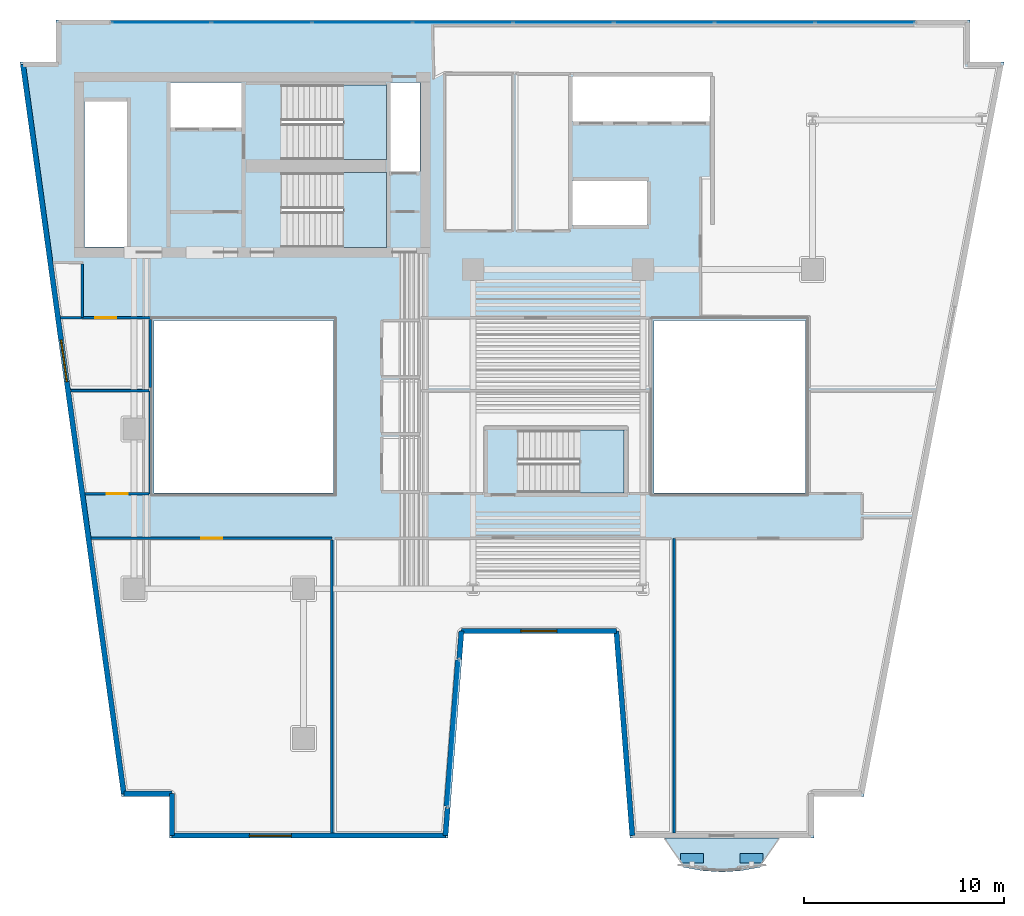
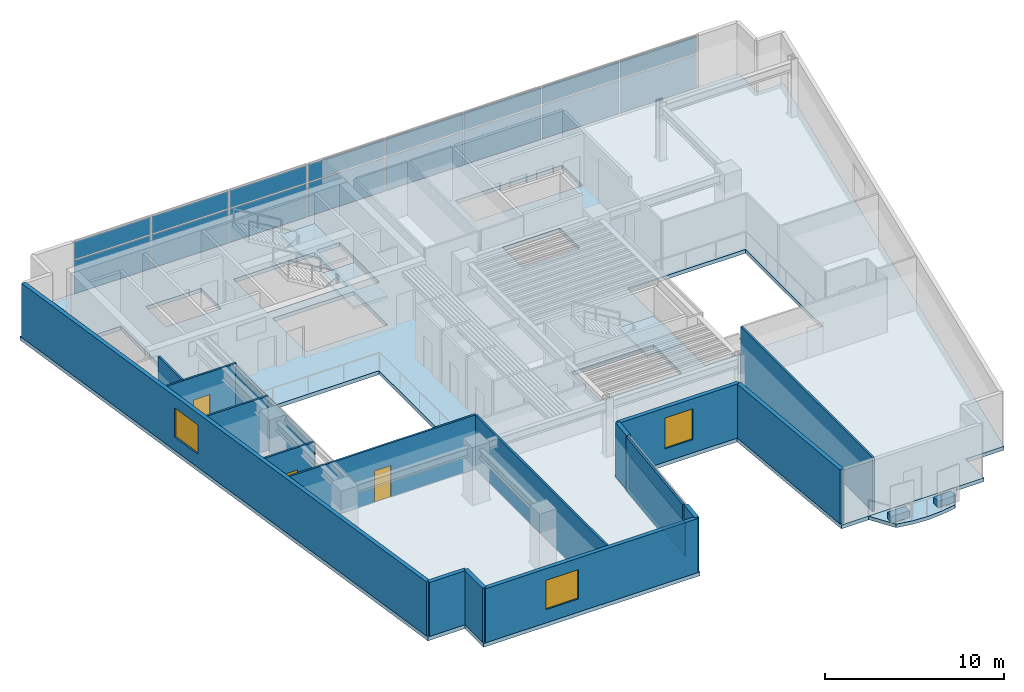
# One storey, part 5 of 13: 20 plates, 18 walls, 5 slabs, 3 doors, 3 windows, 6 openings, 5 elements without a shape of their own.
"""IFC4 building model written with IfcOpenShell, lengths in metres."""

from ifc_helpers import new_model, si_unit, direction, frame, frame_2d, origin, origin_2d, place, context, subcontext, project, spatial, polyline, rectangle, outline, extrude, material, layer, layer_set, type_object, element, fill, aggregate, save


model = new_model("IFC4")

# Units and contexts
model_context = context("Model", 3, precision=1e-05, world=origin(), true_north=direction((0.0, 1.0)))
body_context = subcontext(model_context, "Body", "Model", "MODEL_VIEW")
ifc_project = project(units=[si_unit("LENGTHUNIT", "METRE"), si_unit("AREAUNIT", "SQUARE_METRE"), si_unit("VOLUMEUNIT", "CUBIC_METRE"), si_unit("PLANEANGLEUNIT", "RADIAN"), si_unit("MASSUNIT", "GRAM", prefix="KILO")], contexts=[model_context])

# Site, building, storey
site_placement = place(None, origin())
site = spatial("IfcSite", under=ifc_project, at=site_placement, CompositionType="ELEMENT")
building_placement = place(site_placement, origin())
building = spatial("IfcBuilding", under=site, at=building_placement, Name="Caeloran Harvest Quay", CompositionType="ELEMENT")
storey_placement = place(building_placement, frame((0.0, 0.0, 139.050048828125)))
storey = spatial("IfcBuildingStorey", under=building, at=storey_placement, Name="L32", CompositionType="ELEMENT", Elevation=139.050048828125)

# Slab
ifc_material_1 = material(Name="Concrete C50/60", Category="concrete")
ifc_layer_1 = layer(ifc_material_1, 0.239990234375, Name="Concrete C50/60")
ifc_layer_set_1 = layer_set([ifc_layer_1], Name="Concrete C50/60")
slab_type_1 = type_object("IfcSlabType", Name="BALCONY-BL-240", PredefinedType="FLOOR", material=ifc_layer_set_1)
slab_1_placement = place(storey_placement, frame((0.0, 0.0, -0.239990234375)))
element("IfcSlab", 1, at=slab_1_placement, inside=storey, type_object=slab_type_1, Name="L32 Scalloped Cantilevered Planted Balcony Slab", PredefinedType="FLOOR", context=body_context, shape_type="SweptSolid", body=[
    extrude(outline(polyline([(39.869873046875, 1.04345703125), (38.913818359375, 0.8701171875), (37.95751953125, 0.806884765625), (37.001220703125, 0.8701171875), (36.045166015625, 1.04345703125), (35.10205078125, 2.5), (40.81298828125, 2.5), (39.869873046875, 1.04345703125)])), origin(), (0.0, 0.0, 1.0), 0.239990234375),
])

# Curtain wall, plates
ifc_material_2 = material(Name="Aluminium 6063-T6 and Low-E Glazing", Category="aluminium")
ifc_layer_2 = layer(ifc_material_2, 0.18994140625, Name="Aluminium 6063-T6 and Low-E Glazing")
ifc_layer_set_2 = layer_set([ifc_layer_2], Name="Aluminium 6063-T6 and Low-E Glazing")
curtain_wall_type = type_object("IfcCurtainWallType", Name="CW-SYS-CW-3", PredefinedType="USERDEFINED", material=ifc_layer_set_2)
curtain_wall_1_placement = place(storey_placement, origin())
curtain_wall_1 = element("IfcCurtainWall", 2, at=curtain_wall_1_placement, inside=storey, type_object=curtain_wall_type, Name="L32 Unitised Curtain Wall CW-3 Run 6", ObjectType="CURTAIN_WALL", PredefinedType="USERDEFINED")
ifc_material_3 = material(Name="Low-E Double Glazed Vision Glass Unit", Category="glass")
ifc_layer_3 = layer(ifc_material_3, 0.035888671875, Name="Low-E Double Glazed Vision Glass Unit")
ifc_layer_set_3 = layer_set([ifc_layer_3], Name="Low-E Double Glazed Vision Glass Unit")
plate_type_1 = type_object("IfcPlateType", Name="CW-VISION-PANEL", PredefinedType="CURTAIN_PANEL", material=ifc_layer_set_3)
plate_1_placement = place(storey_placement, frame((9.871337890625, 43.3701171875, 0.080078125), z_axis=(0.0, 0.0, 1.0), x_axis=(1.0, 0.0, 0.0)))
plate_1 = element("IfcPlate", 3, at=plate_1_placement, type_object=plate_type_1, Name="CW-3 panel 1.1", PredefinedType="CURTAIN_PANEL", context=body_context, shape_type="SweptSolid", body=[
    extrude(rectangle(XDim=4.922607421875, YDim=0.035888671875, at=origin_2d()), origin(), (0.0, 0.0, 1.0), 2.280029296875),
])
plate_2_placement = place(storey_placement, frame((9.871337890625, 43.3701171875, 2.43994140625), z_axis=(0.0, 0.0, 1.0), x_axis=(1.0, 0.0, 0.0)))
plate_2 = element("IfcPlate", 4, at=plate_2_placement, type_object=plate_type_1, Name="CW-3 panel 1.2", PredefinedType="CURTAIN_PANEL", context=body_context, shape_type="SweptSolid", body=[
    extrude(rectangle(XDim=4.922607421875, YDim=0.035888671875, at=origin_2d()), origin(), (0.0, 0.0, 1.0), 1.169921875),
])
plate_3_placement = place(storey_placement, frame((14.893798828125, 43.3701171875, 0.080078125), z_axis=(0.0, 0.0, 1.0), x_axis=(1.0, 0.0, 0.0)))
plate_3 = element("IfcPlate", 5, at=plate_3_placement, type_object=plate_type_1, Name="CW-3 panel 2.1", PredefinedType="CURTAIN_PANEL", context=body_context, shape_type="SweptSolid", body=[
    extrude(rectangle(XDim=4.96240234375, YDim=0.035888671875, at=origin_2d()), origin(), (0.0, 0.0, 1.0), 2.280029296875),
])
plate_4_placement = place(storey_placement, frame((14.893798828125, 43.3701171875, 2.43994140625), z_axis=(0.0, 0.0, 1.0), x_axis=(1.0, 0.0, 0.0)))
plate_4 = element("IfcPlate", 6, at=plate_4_placement, type_object=plate_type_1, Name="CW-3 panel 2.2", PredefinedType="CURTAIN_PANEL", context=body_context, shape_type="SweptSolid", body=[
    extrude(rectangle(XDim=4.96240234375, YDim=0.035888671875, at=origin_2d()), origin(), (0.0, 0.0, 1.0), 1.169921875),
])
plate_5_placement = place(storey_placement, frame((19.936279296875, 43.3701171875, 0.080078125), z_axis=(0.0, 0.0, 1.0), x_axis=(1.0, 0.0, 0.0)))
plate_5 = element("IfcPlate", 7, at=plate_5_placement, type_object=plate_type_1, Name="CW-3 panel 3.1", PredefinedType="CURTAIN_PANEL", context=body_context, shape_type="SweptSolid", body=[
    extrude(rectangle(XDim=4.96240234375, YDim=0.035888671875, at=origin_2d()), origin(), (0.0, 0.0, 1.0), 2.280029296875),
])
plate_6_placement = place(storey_placement, frame((19.936279296875, 43.3701171875, 2.43994140625), z_axis=(0.0, 0.0, 1.0), x_axis=(1.0, 0.0, 0.0)))
plate_6 = element("IfcPlate", 8, at=plate_6_placement, type_object=plate_type_1, Name="CW-3 panel 3.2", PredefinedType="CURTAIN_PANEL", context=body_context, shape_type="SweptSolid", body=[
    extrude(rectangle(XDim=4.96240234375, YDim=0.035888671875, at=origin_2d()), origin(), (0.0, 0.0, 1.0), 1.169921875),
])
plate_7_placement = place(storey_placement, frame((24.978759765625, 43.3701171875, 0.080078125), z_axis=(0.0, 0.0, 1.0), x_axis=(1.0, 0.0, 0.0)))
plate_7 = element("IfcPlate", 9, at=plate_7_placement, type_object=plate_type_1, Name="CW-3 panel 4.1", PredefinedType="CURTAIN_PANEL", context=body_context, shape_type="SweptSolid", body=[
    extrude(rectangle(XDim=4.96240234375, YDim=0.035888671875, at=origin_2d()), origin(), (0.0, 0.0, 1.0), 2.280029296875),
])
plate_8_placement = place(storey_placement, frame((24.978759765625, 43.3701171875, 2.43994140625), z_axis=(0.0, 0.0, 1.0), x_axis=(1.0, 0.0, 0.0)))
plate_8 = element("IfcPlate", 10, at=plate_8_placement, type_object=plate_type_1, Name="CW-3 panel 4.2", PredefinedType="CURTAIN_PANEL", context=body_context, shape_type="SweptSolid", body=[
    extrude(rectangle(XDim=4.96240234375, YDim=0.035888671875, at=origin_2d()), origin(), (0.0, 0.0, 1.0), 1.169921875),
])
plate_9_placement = place(storey_placement, frame((30.021240234375, 43.3701171875, 0.080078125), z_axis=(0.0, 0.0, 1.0), x_axis=(1.0, 0.0, 0.0)))
plate_9 = element("IfcPlate", 11, at=plate_9_placement, type_object=plate_type_1, Name="CW-3 panel 5.1", PredefinedType="CURTAIN_PANEL", context=body_context, shape_type="SweptSolid", body=[
    extrude(rectangle(XDim=4.96240234375, YDim=0.035888671875, at=origin_2d()), origin(), (0.0, 0.0, 1.0), 2.280029296875),
])
plate_10_placement = place(storey_placement, frame((30.021240234375, 43.3701171875, 2.43994140625), z_axis=(0.0, 0.0, 1.0), x_axis=(1.0, 0.0, 0.0)))
plate_10 = element("IfcPlate", 12, at=plate_10_placement, type_object=plate_type_1, Name="CW-3 panel 5.2", PredefinedType="CURTAIN_PANEL", context=body_context, shape_type="SweptSolid", body=[
    extrude(rectangle(XDim=4.96240234375, YDim=0.035888671875, at=origin_2d()), origin(), (0.0, 0.0, 1.0), 1.169921875),
])
plate_11_placement = place(storey_placement, frame((35.063720703125, 43.3701171875, 0.080078125), z_axis=(0.0, 0.0, 1.0), x_axis=(1.0, 0.0, 0.0)))
plate_11 = element("IfcPlate", 13, at=plate_11_placement, type_object=plate_type_1, Name="CW-3 panel 6.1", PredefinedType="CURTAIN_PANEL", context=body_context, shape_type="SweptSolid", body=[
    extrude(rectangle(XDim=4.96240234375, YDim=0.035888671875, at=origin_2d()), origin(), (0.0, 0.0, 1.0), 2.280029296875),
])
plate_12_placement = place(storey_placement, frame((35.063720703125, 43.3701171875, 2.43994140625), z_axis=(0.0, 0.0, 1.0), x_axis=(1.0, 0.0, 0.0)))
plate_12 = element("IfcPlate", 14, at=plate_12_placement, type_object=plate_type_1, Name="CW-3 panel 6.2", PredefinedType="CURTAIN_PANEL", context=body_context, shape_type="SweptSolid", body=[
    extrude(rectangle(XDim=4.96240234375, YDim=0.035888671875, at=origin_2d()), origin(), (0.0, 0.0, 1.0), 1.169921875),
])
plate_13_placement = place(storey_placement, frame((40.106201171875, 43.3701171875, 0.080078125), z_axis=(0.0, 0.0, 1.0), x_axis=(1.0, 0.0, 0.0)))
plate_13 = element("IfcPlate", 15, at=plate_13_placement, type_object=plate_type_1, Name="CW-3 panel 7.1", PredefinedType="CURTAIN_PANEL", context=body_context, shape_type="SweptSolid", body=[
    extrude(rectangle(XDim=4.96240234375, YDim=0.035888671875, at=origin_2d()), origin(), (0.0, 0.0, 1.0), 2.280029296875),
])
plate_14_placement = place(storey_placement, frame((40.106201171875, 43.3701171875, 2.43994140625), z_axis=(0.0, 0.0, 1.0), x_axis=(1.0, 0.0, 0.0)))
plate_14 = element("IfcPlate", 16, at=plate_14_placement, type_object=plate_type_1, Name="CW-3 panel 7.2", PredefinedType="CURTAIN_PANEL", context=body_context, shape_type="SweptSolid", body=[
    extrude(rectangle(XDim=4.96240234375, YDim=0.035888671875, at=origin_2d()), origin(), (0.0, 0.0, 1.0), 1.169921875),
])
plate_15_placement = place(storey_placement, frame((45.128662109375, 43.3701171875, 0.080078125), z_axis=(0.0, 0.0, 1.0), x_axis=(1.0, 0.0, 0.0)))
plate_15 = element("IfcPlate", 17, at=plate_15_placement, type_object=plate_type_1, Name="CW-3 panel 8.1", PredefinedType="CURTAIN_PANEL", context=body_context, shape_type="SweptSolid", body=[
    extrude(rectangle(XDim=4.922607421875, YDim=0.035888671875, at=origin_2d()), origin(), (0.0, 0.0, 1.0), 2.280029296875),
])
plate_16_placement = place(storey_placement, frame((45.128662109375, 43.3701171875, 2.43994140625), z_axis=(0.0, 0.0, 1.0), x_axis=(1.0, 0.0, 0.0)))
plate_16 = element("IfcPlate", 18, at=plate_16_placement, type_object=plate_type_1, Name="CW-3 panel 8.2", PredefinedType="CURTAIN_PANEL", context=body_context, shape_type="SweptSolid", body=[
    extrude(rectangle(XDim=4.922607421875, YDim=0.035888671875, at=origin_2d()), origin(), (0.0, 0.0, 1.0), 1.169921875),
])
aggregate(curtain_wall_1, [plate_1, plate_2, plate_3, plate_4, plate_5, plate_6, plate_7, plate_8, plate_9, plate_10, plate_11, plate_12, plate_13, plate_14, plate_15, plate_16])

curtain_wall_2_placement = place(storey_placement, origin())
curtain_wall_2 = element("IfcCurtainWall", 19, at=curtain_wall_2_placement, inside=storey, type_object=curtain_wall_type, Name="L32 Unitised Curtain Wall CW-3 Run 15", ObjectType="CURTAIN_WALL", PredefinedType="USERDEFINED")
plate_17_placement = place(storey_placement, frame((24.509765625, 7.7548828125, 0.080078125), z_axis=(0.0, 0.0, 1.0), x_axis=(-0.077821861046, -0.996967280277, 0.0)))
plate_17 = element("IfcPlate", 20, at=plate_17_placement, type_object=plate_type_1, Name="CW-3 panel 1.1", PredefinedType="CURTAIN_PANEL", context=body_context, shape_type="SweptSolid", body=[
    extrude(rectangle(XDim=7.3212890625, YDim=0.035888671875, at=origin_2d()), origin(), (0.0, 0.0, 1.0), 2.280029296875),
])
plate_18_placement = place(storey_placement, frame((24.509765625, 7.7548828125, 2.43994140625), z_axis=(0.0, 0.0, 1.0), x_axis=(-0.077821861046, -0.996967280277, 0.0)))
plate_18 = element("IfcPlate", 21, at=plate_18_placement, type_object=plate_type_1, Name="CW-3 panel 1.2", PredefinedType="CURTAIN_PANEL", context=body_context, shape_type="SweptSolid", body=[
    extrude(rectangle(XDim=7.3212890625, YDim=0.035888671875, at=origin_2d()), origin(), (0.0, 0.0, 1.0), 1.169921875),
])
aggregate(curtain_wall_2, [plate_17, plate_18])

# Plates
ifc_material_4 = material(Name="Precast concrete C50/60", Category="concrete")
ifc_layer_4 = layer(ifc_material_4, 0.449951171875, Name="Precast concrete C50/60")
ifc_layer_set_4 = layer_set([ifc_layer_4], Name="Precast concrete C50/60")
plate_type_2 = type_object("IfcPlateType", Name="PLANTER-TROUGH-450", PredefinedType="USERDEFINED", material=ifc_layer_set_4)
for number, where, z_axis, x_axis, name in (
    (22, (39.44921875, 1.49951171875, 0.0), (0.0, 0.0, 1.0), (1.0, 0.0, 0.0), "L32 Balcony Vertical-Greenery Precast PLANTER Trough 1"),
    (23, (36.4658203125, 1.49951171875, 0.0), (0.0, 0.0, 1.0), (1.0, 0.0, 0.0), "L32 Balcony Vertical-Greenery Precast PLANTER Trough 2"),
):
    element("IfcPlate", number, at=place(storey_placement, frame(where, z_axis=z_axis, x_axis=x_axis)), inside=storey, type_object=plate_type_2, Name=name, ObjectType="PLANTER", PredefinedType="USERDEFINED", context=body_context, shape_type="SweptSolid", body=[
        extrude(rectangle(XDim=1.14990234375, YDim=0.47998046875, at=origin_2d()), origin(), (0.0, 0.0, 1.0), 0.449951171875),
    ])

# Slab
ifc_layer_5 = layer(ifc_material_1, 0.260009765625, Name="Concrete C50/60")
ifc_layer_set_5 = layer_set([ifc_layer_5], Name="Concrete C50/60")
slab_type_2 = type_object("IfcSlabType", Name="SLAB-FS-260", PredefinedType="FLOOR", material=ifc_layer_set_5)
slab_2_placement = place(storey_placement, frame((0.0, 0.0, -0.260009765625)))
element("IfcSlab", 24, at=slab_2_placement, inside=storey, type_object=slab_type_2, Name="L32 Structural Floor Slab", PredefinedType="FLOOR", context=body_context, shape_type="SweptSolid", body=[
    extrude(outline(polyline([(10.27001953125, 2.5), (24.22998046875, 2.5), (25.030029296875, 12.75), (32.554931640625, 12.75), (33.35498046875, 2.5), (42.570068359375, 2.5), (42.570068359375, 4.60009765625), (45.071044921875, 4.60009765625), (52.09912109375, 41.39990234375), (50.39990234375, 41.39990234375), (50.39990234375, 43.5), (4.60009765625, 43.5), (4.60009765625, 41.39990234375), (2.790283203125, 41.39990234375), (7.879638671875, 4.60009765625), (10.27001953125, 4.60009765625), (10.27001953125, 2.5)]), holes=[polyline([(27.75, 19.800048828125), (27.75, 22.949951171875), (33.050048828125, 22.949951171875), (33.050048828125, 19.800048828125), (27.75, 19.800048828125)]), polyline([(18.5, 19.800048828125), (9.5, 19.800048828125), (9.5, 28.449951171875), (18.5, 28.449951171875), (18.5, 19.800048828125)]), polyline([(42.14990234375, 19.800048828125), (34.550048828125, 19.800048828125), (34.550048828125, 28.449951171875), (42.14990234375, 28.449951171875), (42.14990234375, 19.800048828125)]), polyline([(15.89990234375, 35.85009765625), (21.14990234375, 35.85009765625), (21.14990234375, 32.10009765625), (15.89990234375, 32.10009765625), (15.89990234375, 35.85009765625)]), polyline([(30.47998046875, 33.219970703125), (30.47998046875, 35.429931640625), (34.199951171875, 35.429931640625), (34.199951171875, 33.219970703125), (30.47998046875, 33.219970703125)]), polyline([(8.159912109375, 32.1201171875), (6.02001953125, 32.1201171875), (6.02001953125, 39.419921875), (8.159912109375, 39.419921875), (8.159912109375, 32.1201171875)]), polyline([(22.830078125, 35.919921875), (21.35009765625, 35.919921875), (21.35009765625, 40.3798828125), (22.830078125, 40.3798828125), (22.830078125, 35.919921875)]), polyline([(15.89990234375, 36.5), (15.89990234375, 40.25), (21.14990234375, 40.25), (21.14990234375, 36.5), (15.89990234375, 36.5)]), polyline([(10.320068359375, 38.1201171875), (10.320068359375, 40.3798828125), (13.89990234375, 40.3798828125), (13.89990234375, 38.1201171875), (10.320068359375, 38.1201171875)]), polyline([(30.47998046875, 38.419921875), (30.47998046875, 40.679931640625), (37.3798828125, 40.679931640625), (37.3798828125, 38.419921875), (30.47998046875, 38.419921875)])]), origin(), (0.0, 0.0, 1.0), 0.260009765625),
])

# Stair, slab
stair_type_1 = type_object("IfcStairType", Name="STAIR-STC-180", PredefinedType="HALF_TURN_STAIR", material=ifc_material_1)
stair_1_placement = place(storey_placement, origin())
stair_1 = element("IfcStair", 25, at=stair_1_placement, inside=storey, type_object=stair_type_1, Name="L32 Core Pressurized Exit Stair ST-C1", PredefinedType="HALF_TURN_STAIR")
ifc_layer_6 = layer(ifc_material_1, 0.219970703125, Name="Concrete C50/60")
ifc_layer_set_6 = layer_set([ifc_layer_6], Name="Concrete C50/60")
slab_type_3 = type_object("IfcSlabType", Name="STAIR-LANDING-220", PredefinedType="LANDING", material=ifc_layer_set_6)
slab_3_placement = place(storey_placement, frame((0.0, 0.0, 1.77490234375)))
slab_3 = element("IfcSlab", 26, at=slab_3_placement, type_object=slab_type_3, Name="ST-C1 landing 1", PredefinedType="LANDING", context=body_context, shape_type="SweptSolid", body=[
    extrude(outline(polyline([(18.97998046875, 36.5), (21.14990234375, 36.5), (21.14990234375, 40.25), (18.97998046875, 40.25), (18.97998046875, 36.5)])), origin(), (0.0, 0.0, 1.0), 0.199951171875),
])
aggregate(stair_1, [slab_3])

stair_2_placement = place(storey_placement, origin())
stair_2 = element("IfcStair", 27, at=stair_2_placement, inside=storey, type_object=stair_type_1, Name="L32 Core Pressurized Exit Stair ST-C2", PredefinedType="HALF_TURN_STAIR")
slab_4_placement = place(storey_placement, frame((0.0, 0.0, 1.77490234375)))
slab_4 = element("IfcSlab", 28, at=slab_4_placement, type_object=slab_type_3, Name="ST-C2 landing 1", PredefinedType="LANDING", context=body_context, shape_type="SweptSolid", body=[
    extrude(outline(polyline([(18.97998046875, 32.10009765625), (21.14990234375, 32.10009765625), (21.14990234375, 35.85009765625), (18.97998046875, 35.85009765625), (18.97998046875, 32.10009765625)])), origin(), (0.0, 0.0, 1.0), 0.199951171875),
])
aggregate(stair_2, [slab_4])

stair_type_2 = type_object("IfcStairType", Name="STAIR-STW-150", PredefinedType="HALF_TURN_STAIR", material=ifc_material_1)
stair_3_placement = place(storey_placement, origin())
stair_3 = element("IfcStair", 29, at=stair_3_placement, inside=storey, type_object=stair_type_2, Name="L32 East Wing Protected Exit Stair ST-W1", PredefinedType="HALF_TURN_STAIR")
slab_5_placement = place(storey_placement, frame((0.0, 0.0, 1.77490234375)))
slab_5 = element("IfcSlab", 30, at=slab_5_placement, type_object=slab_type_3, Name="ST-W1 landing 1", PredefinedType="LANDING", context=body_context, shape_type="SweptSolid", body=[
    extrude(outline(polyline([(30.830078125, 19.800048828125), (33.050048828125, 19.800048828125), (33.050048828125, 22.949951171875), (30.830078125, 22.949951171875), (30.830078125, 19.800048828125)])), origin(), (0.0, 0.0, 1.0), 0.199951171875),
])
aggregate(stair_3, [slab_5])

# Walls
ifc_layer_7 = layer(ifc_material_4, 0.260009765625, Name="Precast concrete C50/60")
ifc_layer_set_7 = layer_set([ifc_layer_7], Name="Precast concrete C50/60")
wall_type_1 = type_object("IfcWallType", Name="ENV-WALL-EW-260", PredefinedType="STANDARD", material=ifc_layer_set_7)
wall_1_placement = place(storey_placement, frame((10.39990234375, 2.6298828125, 0.0), z_axis=(0.0, 0.0, 1.0), x_axis=(0.0, 1.0, 0.0)))
element("IfcWall", 31, at=wall_1_placement, inside=storey, type_object=wall_type_1, Name="L32 Exterior Precast Concrete Facade Wall 1", PredefinedType="STANDARD", context=body_context, shape_type="SweptSolid", body=[
    extrude(rectangle(XDim=2.10009765625, YDim=0.260009765625, at=frame_2d((1.050048828125, 0.0))), origin(), (0.0, 0.0, 1.0), 3.68994140625),
])
wall_2_placement = place(storey_placement, frame((10.39990234375, 4.72998046875, 0.0), z_axis=(0.0, 0.0, 1.0), x_axis=(-1.0, 0.0, 0.0)))
element("IfcWall", 32, at=wall_2_placement, inside=storey, type_object=wall_type_1, Name="L32 Exterior Precast Concrete Facade Wall 2", PredefinedType="STANDARD", context=body_context, shape_type="SweptSolid", body=[
    extrude(rectangle(XDim=2.406982421875, YDim=0.260009765625, at=frame_2d((1.20361328125, 0.0))), origin(), (0.0, 0.0, 1.0), 3.68994140625),
])

# Wall, opening, window
wall_3_placement = place(storey_placement, frame((7.992919921875, 4.72998046875, 0.0), z_axis=(0.0, 0.0, 1.0), x_axis=(-0.136989009016, 0.990572567462, 0.0)))
wall_3 = element("IfcWall", 33, at=wall_3_placement, inside=storey, type_object=wall_type_1, Name="L32 Exterior Precast Concrete Facade Wall 3", PredefinedType="STANDARD", context=body_context, shape_type="SweptSolid", body=[
    extrude(rectangle(XDim=36.8876953125, YDim=0.260009765625, at=frame_2d((18.44384765625, 0.0))), origin(), (0.0, 0.0, 1.0), 3.68994140625),
])
opening_1_placement = place(wall_3_placement, frame((20.848388671875, 0.0, 0.89990234375)))
opening_1 = element("IfcOpeningElement", 34, at=opening_1_placement, cuts=wall_3, Name="Opening W-06", PredefinedType="OPENING", context=body_context, shape_type="SweptSolid", body=[
    extrude(rectangle(XDim=2.10009765625, YDim=2.0, at=frame_2d((1.050048828125, 1.0))), frame((0.0, 0.14013671875, 0.0), z_axis=(0.0, -1.0, 0.0), x_axis=(1.0, 0.0, 0.0)), (0.0, 0.0, 1.0), 0.280029296875),
])
ifc_material_5 = material(Name="Aluminium-Framed Low-E Laminated Glass", Category="aluminium")
window_type_1 = type_object("IfcWindowType", Name="WIN-W-06", PartitioningType="DOUBLE_PANEL_VERTICAL", PredefinedType="WINDOW", material=ifc_material_5)
window_1_placement = place(opening_1_placement, origin())
window_1 = element("IfcWindow", 35, at=window_1_placement, inside=storey, type_object=window_type_1, Name="L32 Facade Punched Window W-06", OverallHeight=2.0, OverallWidth=2.10009765625, PartitioningType="DOUBLE_PANEL_VERTICAL", PredefinedType="WINDOW", context=body_context, shape_type="SweptSolid", body=[
    extrude(rectangle(XDim=2.10009765625, YDim=2.0, at=frame_2d((1.050048828125, 1.0))), frame((0.0, 0.030029296875, 0.0), z_axis=(0.0, -1.0, 0.0), x_axis=(1.0, 0.0, 0.0)), (0.0, 0.0, 1.0), 0.06005859375),
])
fill(opening_1, window_1)

# Wall
wall_4_placement = place(storey_placement, frame((33.47509765625, 2.6298828125, 0.0), z_axis=(0.0, 0.0, 1.0), x_axis=(-0.077793257511, 0.996969512616, 0.0)))
element("IfcWall", 36, at=wall_4_placement, inside=storey, type_object=wall_type_1, Name="L32 Exterior Precast Concrete Facade Wall 13", PredefinedType="STANDARD", context=body_context, shape_type="SweptSolid", body=[
    extrude(rectangle(XDim=10.28125, YDim=0.260009765625, at=frame_2d((5.140625, 0.0))), origin(), (0.0, 0.0, 1.0), 3.68994140625),
])

# Wall, opening, window
wall_5_placement = place(storey_placement, frame((32.67529296875, 12.8798828125, 0.0), z_axis=(0.0, 0.0, 1.0), x_axis=(-1.0, 0.0, 0.0)))
wall_5 = element("IfcWall", 37, at=wall_5_placement, inside=storey, type_object=wall_type_1, Name="L32 Exterior Precast Concrete Facade Wall 14", PredefinedType="STANDARD", context=body_context, shape_type="SweptSolid", body=[
    extrude(rectangle(XDim=7.765380859375, YDim=0.260009765625, at=frame_2d((3.8828125, 0.0))), origin(), (0.0, 0.0, 1.0), 3.68994140625),
])
opening_2_placement = place(wall_5_placement, frame((2.98291015625, 0.0, 0.89990234375)))
opening_2 = element("IfcOpeningElement", 38, at=opening_2_placement, cuts=wall_5, Name="Opening W-01", PredefinedType="OPENING", context=body_context, shape_type="SweptSolid", body=[
    extrude(rectangle(XDim=1.800048828125, YDim=2.10009765625, at=frame_2d((0.89990234375, 1.050048828125))), frame((0.0, 0.14013671875, 0.0), z_axis=(0.0, -1.0, 0.0), x_axis=(1.0, 0.0, 0.0)), (0.0, 0.0, 1.0), 0.280029296875),
])
window_type_2 = type_object("IfcWindowType", Name="WIN-W-01", PartitioningType="SINGLE_PANEL", PredefinedType="WINDOW", material=ifc_material_5)
window_2_placement = place(opening_2_placement, origin())
window_2 = element("IfcWindow", 39, at=window_2_placement, inside=storey, type_object=window_type_2, Name="L32 Facade Punched Window W-01", OverallHeight=2.10009765625, OverallWidth=1.800048828125, PartitioningType="SINGLE_PANEL", PredefinedType="WINDOW", context=body_context, shape_type="SweptSolid", body=[
    extrude(rectangle(XDim=1.800048828125, YDim=2.10009765625, at=frame_2d((0.89990234375, 1.050048828125))), frame((0.0, 0.030029296875, 0.0), z_axis=(0.0, -1.0, 0.0), x_axis=(1.0, 0.0, 0.0)), (0.0, 0.0, 1.0), 0.06005859375),
])
fill(opening_2, window_2)

# Walls
for number, where, z_axis, x_axis, name in (
    (40, (24.909912109375, 12.8798828125, 0.0), (0.0, 0.0, 1.0), (-0.077949956455, -0.996957273051, 0.0), "L32 Exterior Facade Corner Pier Wall 15A"),
    (41, (24.21875, 4.025634765625, 0.0), (0.0, 0.0, 1.0), (-0.077776627829, -0.996970810086, 0.0), "L32 Exterior Facade Corner Pier Wall 15B"),
):
    element("IfcWall", number, at=place(storey_placement, frame(where, z_axis=z_axis, x_axis=x_axis)), inside=storey, type_object=wall_type_1, Name=name, PredefinedType="STANDARD", context=body_context, shape_type="SweptSolid", body=[
        extrude(rectangle(XDim=1.39990234375, YDim=0.260009765625, at=frame_2d((0.699951171875, 0.0))), origin(), (0.0, 0.0, 1.0), 3.68994140625),
    ])

# Wall, opening, window
wall_6_placement = place(storey_placement, frame((24.10986328125, 2.6298828125, 0.0), z_axis=(0.0, 0.0, 1.0), x_axis=(-1.0, 0.0, 0.0)))
wall_6 = element("IfcWall", 42, at=wall_6_placement, inside=storey, type_object=wall_type_1, Name="L32 Exterior Precast Concrete Facade Wall 16", PredefinedType="STANDARD", context=body_context, shape_type="SweptSolid", body=[
    extrude(rectangle(XDim=13.7099609375, YDim=0.260009765625, at=frame_2d((6.85498046875, 0.0))), origin(), (0.0, 0.0, 1.0), 3.68994140625),
])
opening_3_placement = place(wall_6_placement, frame((7.72412109375, 0.0, 0.89990234375)))
opening_3 = element("IfcOpeningElement", 43, at=opening_3_placement, cuts=wall_6, Name="Opening W-06", PredefinedType="OPENING", context=body_context, shape_type="SweptSolid", body=[
    extrude(rectangle(XDim=2.10009765625, YDim=2.0, at=frame_2d((1.050048828125, 1.0))), frame((0.0, 0.14013671875, 0.0), z_axis=(0.0, -1.0, 0.0), x_axis=(1.0, 0.0, 0.0)), (0.0, 0.0, 1.0), 0.280029296875),
])
window_3_placement = place(opening_3_placement, origin())
window_3 = element("IfcWindow", 44, at=window_3_placement, inside=storey, type_object=window_type_1, Name="L32 Facade Punched Window W-06", OverallHeight=2.0, OverallWidth=2.10009765625, PartitioningType="DOUBLE_PANEL_VERTICAL", PredefinedType="WINDOW", context=body_context, shape_type="SweptSolid", body=[
    extrude(rectangle(XDim=2.10009765625, YDim=2.0, at=frame_2d((1.050048828125, 1.0))), frame((0.0, 0.030029296875, 0.0), z_axis=(0.0, -1.0, 0.0), x_axis=(1.0, 0.0, 0.0)), (0.0, 0.0, 1.0), 0.06005859375),
])
fill(opening_3, window_3)

# Wall, opening, door
ifc_material_6 = material(Name="Twin-Stud Mineral-Wool Acoustic Gypsum Partition", Category="gypsum")
ifc_layer_8 = layer(ifc_material_6, 0.125, Name="Twin-Stud Mineral-Wool Acoustic Gypsum Partition")
ifc_layer_set_8 = layer_set([ifc_layer_8], Name="Twin-Stud Mineral-Wool Acoustic Gypsum Partition")
wall_type_2 = type_object("IfcWallType", Name="INT-WALL-PW-125", PredefinedType="PARTITIONING", material=ifc_layer_set_8)
wall_7_placement = place(storey_placement, frame((6.3603515625, 17.52001953125, 0.0), z_axis=(0.0, 0.0, 1.0), x_axis=(1.0, 0.0, 0.0)))
wall_7 = element("IfcWall", 45, at=wall_7_placement, inside=storey, type_object=wall_type_2, Name="Cellular Agriculture Bioprocess Laboratory Partition Wall", PredefinedType="PARTITIONING", context=body_context, shape_type="SweptSolid", body=[
    extrude(rectangle(XDim=12.0595703125, YDim=0.125, at=frame_2d((6.02978515625, 0.0))), origin(), (0.0, 0.0, 1.0), 3.68994140625),
])
opening_4_placement = place(wall_7_placement, frame((5.5048828125, 0.0, 0.0)))
opening_4 = element("IfcOpeningElement", 46, at=opening_4_placement, cuts=wall_7, Name="Opening ID-03", PredefinedType="OPENING", context=body_context, shape_type="SweptSolid", body=[
    extrude(rectangle(XDim=1.050048828125, YDim=2.14990234375, at=frame_2d((0.52490234375, 1.074951171875))), frame((0.0, 0.072509765625, 0.0), z_axis=(0.0, -1.0, 0.0), x_axis=(1.0, 0.0, 0.0)), (0.0, 0.0, 1.0), 0.14501953125),
])
ifc_material_7 = material(Name="FSC Solid-Core Oak Timber Leaf", Category="wood")
door_type = type_object("IfcDoorType", Name="INTDOOR-ID-03", OperationType="NOTDEFINED", PredefinedType="DOOR", material=ifc_material_7)
door_1_placement = place(opening_4_placement, origin())
door_1 = element("IfcDoor", 47, at=door_1_placement, inside=storey, type_object=door_type, Name="Cellular Agriculture Bioprocess Laboratory Access Door", OperationType="SINGLE_SWING_RIGHT", OverallHeight=2.14990234375, OverallWidth=1.050048828125, PredefinedType="DOOR", context=body_context, shape_type="SweptSolid", body=[
    extrude(rectangle(XDim=1.050048828125, YDim=2.14990234375, at=frame_2d((0.52490234375, 1.074951171875))), frame((0.0, 0.02490234375, 0.0), z_axis=(0.0, -1.0, 0.0), x_axis=(1.0, 0.0, 0.0)), (0.0, 0.0, 1.0), 0.050048828125),
])
fill(opening_4, door_1)

# Walls
wall_8_placement = place(storey_placement, frame((18.419921875, 17.452392578125, 0.0), z_axis=(0.0, 0.0, 1.0), x_axis=(0.0, -1.0, 0.0)))
element("IfcWall", 48, at=wall_8_placement, inside=storey, type_object=wall_type_2, Name="Cellular Agriculture Bioprocess Laboratory Partition Wall", PredefinedType="PARTITIONING", context=body_context, shape_type="SweptSolid", body=[
    extrude(rectangle(XDim=14.6875, YDim=0.125, at=frame_2d((7.34375, 0.0))), origin(), (0.0, 0.0, 1.0), 3.68994140625),
])
wall_9_placement = place(storey_placement, frame((35.580078125, 2.764892578125, 0.0), z_axis=(0.0, 0.0, 1.0), x_axis=(0.0, 1.0, 0.0)))
element("IfcWall", 49, at=wall_9_placement, inside=storey, type_object=wall_type_2, Name="Food Texture Sensory Laboratory Partition Wall", PredefinedType="PARTITIONING", context=body_context, shape_type="SweptSolid", body=[
    extrude(rectangle(XDim=14.755126953125, YDim=0.125, at=frame_2d((7.37744140625, 0.0))), origin(), (0.0, 0.0, 1.0), 3.68994140625),
])
wall_10_placement = place(storey_placement, frame((24.665771484375, 11.419921875, 0.0), z_axis=(0.0, 0.0, 1.0), x_axis=(-0.077816821526, -0.996967673642, 0.0)))
element("IfcWall", 50, at=wall_10_placement, inside=storey, type_object=wall_type_2, Name="Fermentation Pilot Laboratory Partition Wall", PredefinedType="PARTITIONING", context=body_context, shape_type="SweptSolid", body=[
    extrude(rectangle(XDim=7.33203125, YDim=0.125, at=frame_2d((3.666015625, 0.0))), origin(), (0.0, 0.0, 1.0), 3.68994140625),
])
wall_11_placement = place(storey_placement, frame((9.320068359375, 24.919921875, 0.0), z_axis=(0.0, 0.0, 1.0), x_axis=(0.0, -1.0, 0.0)))
element("IfcWall", 51, at=wall_11_placement, inside=storey, type_object=wall_type_2, Name="Design Thinking Seminar Hall Partition Wall", PredefinedType="PARTITIONING", context=body_context, shape_type="SweptSolid", body=[
    extrude(rectangle(XDim=5.169921875, YDim=0.125, at=frame_2d((2.5849609375, 0.0))), origin(), (0.0, 0.0, 1.0), 3.474853515625),
])

# Wall, opening, door
wall_12_placement = place(storey_placement, frame((9.25244140625, 19.75, 0.0), z_axis=(0.0, 0.0, 1.0), x_axis=(-1.0, 0.0, 0.0)))
wall_12 = element("IfcWall", 52, at=wall_12_placement, inside=storey, type_object=wall_type_2, Name="Design Thinking Seminar Hall Partition Wall", PredefinedType="PARTITIONING", context=body_context, shape_type="SweptSolid", body=[
    extrude(rectangle(XDim=3.200439453125, YDim=0.125, at=frame_2d((1.60009765625, 0.0))), origin(), (0.0, 0.0, 1.0), 3.68994140625),
])
opening_5_placement = place(wall_12_placement, frame((1.0751953125, 0.0, 0.0)))
opening_5 = element("IfcOpeningElement", 53, at=opening_5_placement, cuts=wall_12, Name="Opening ID-03", PredefinedType="OPENING", context=body_context, shape_type="SweptSolid", body=[
    extrude(rectangle(XDim=1.050048828125, YDim=2.14990234375, at=frame_2d((0.52490234375, 1.074951171875))), frame((0.0, 0.072509765625, 0.0), z_axis=(0.0, -1.0, 0.0), x_axis=(1.0, 0.0, 0.0)), (0.0, 0.0, 1.0), 0.14501953125),
])
door_2_placement = place(opening_5_placement, origin())
door_2 = element("IfcDoor", 54, at=door_2_placement, inside=storey, type_object=door_type, Name="Design Thinking Seminar Hall Access Door", OperationType="SINGLE_SWING_RIGHT", OverallHeight=2.14990234375, OverallWidth=1.050048828125, PredefinedType="DOOR", context=body_context, shape_type="SweptSolid", body=[
    extrude(rectangle(XDim=1.050048828125, YDim=2.14990234375, at=frame_2d((0.52490234375, 1.074951171875))), frame((0.0, 0.02490234375, 0.0), z_axis=(0.0, -1.0, 0.0), x_axis=(1.0, 0.0, 0.0)), (0.0, 0.0, 1.0), 0.050048828125),
])
fill(opening_5, door_2)

# Walls
wall_13_placement = place(storey_placement, frame((5.3369140625, 24.919921875, 0.0), z_axis=(0.0, 0.0, 1.0), x_axis=(1.0, 0.0, 0.0)))
element("IfcWall", 55, at=wall_13_placement, inside=storey, type_object=wall_type_2, Name="Design Thinking Seminar Hall Partition Wall", PredefinedType="PARTITIONING", context=body_context, shape_type="SweptSolid", body=[
    extrude(rectangle(XDim=3.91552734375, YDim=0.125, at=frame_2d((1.957763671875, 0.0))), origin(), (0.0, 0.0, 1.0), 3.68994140625),
])
wall_14_placement = place(storey_placement, frame((5.919921875, 31.282470703125, 0.0), z_axis=(0.0, 0.0, 1.0), x_axis=(0.0, -1.0, 0.0)))
element("IfcWall", 56, at=wall_14_placement, inside=storey, type_object=wall_type_2, Name="Cellular Agriculture Bioprocess Laboratory 8 Partition Wall", PredefinedType="PARTITIONING", context=body_context, shape_type="SweptSolid", body=[
    extrude(rectangle(XDim=2.682373046875, YDim=0.125, at=frame_2d((1.34130859375, 0.0))), origin(), (0.0, 0.0, 1.0), 3.68994140625),
])

# Wall, opening, door
wall_15_placement = place(storey_placement, frame((4.832275390625, 28.570068359375, 0.0), z_axis=(0.0, 0.0, 1.0), x_axis=(1.0, 0.0, 0.0)))
wall_15 = element("IfcWall", 57, at=wall_15_placement, inside=storey, type_object=wall_type_2, Name="Cellular Agriculture Bioprocess Laboratory 8 Partition Wall", PredefinedType="PARTITIONING", context=body_context, shape_type="SweptSolid", body=[
    extrude(rectangle(XDim=4.48779296875, YDim=0.125, at=frame_2d((2.243896484375, 0.0))), origin(), (0.0, 0.0, 1.0), 3.68994140625),
])
opening_6_placement = place(wall_15_placement, frame((1.718994140625, 0.0, 0.0)))
opening_6 = element("IfcOpeningElement", 58, at=opening_6_placement, cuts=wall_15, Name="Opening ID-03", PredefinedType="OPENING", context=body_context, shape_type="SweptSolid", body=[
    extrude(rectangle(XDim=1.050048828125, YDim=2.14990234375, at=frame_2d((0.52490234375, 1.074951171875))), frame((0.0, 0.072509765625, 0.0), z_axis=(0.0, -1.0, 0.0), x_axis=(1.0, 0.0, 0.0)), (0.0, 0.0, 1.0), 0.14501953125),
])
door_3_placement = place(opening_6_placement, origin())
door_3 = element("IfcDoor", 59, at=door_3_placement, inside=storey, type_object=door_type, Name="Cellular Agriculture Bioprocess Laboratory 8 Access Door", OperationType="SINGLE_SWING_LEFT", OverallHeight=2.14990234375, OverallWidth=1.050048828125, PredefinedType="DOOR", context=body_context, shape_type="SweptSolid", body=[
    extrude(rectangle(XDim=1.050048828125, YDim=2.14990234375, at=frame_2d((0.52490234375, 1.074951171875))), frame((0.0, 0.02490234375, 0.0), z_axis=(0.0, -1.0, 0.0), x_axis=(1.0, 0.0, 0.0)), (0.0, 0.0, 1.0), 0.050048828125),
])
fill(opening_6, door_3)

# Wall
wall_16_placement = place(storey_placement, frame((9.320068359375, 28.50244140625, 0.0), z_axis=(0.0, 0.0, 1.0), x_axis=(0.0, -1.0, 0.0)))
element("IfcWall", 60, at=wall_16_placement, inside=storey, type_object=wall_type_2, Name="Cellular Agriculture Bioprocess Laboratory 8 Partition Wall", PredefinedType="PARTITIONING", context=body_context, shape_type="SweptSolid", body=[
    extrude(rectangle(XDim=3.42236328125, YDim=0.125, at=frame_2d((1.711181640625, 0.0))), origin(), (0.0, 0.0, 1.0), 3.474853515625),
])

save(model, "model.ifc")
